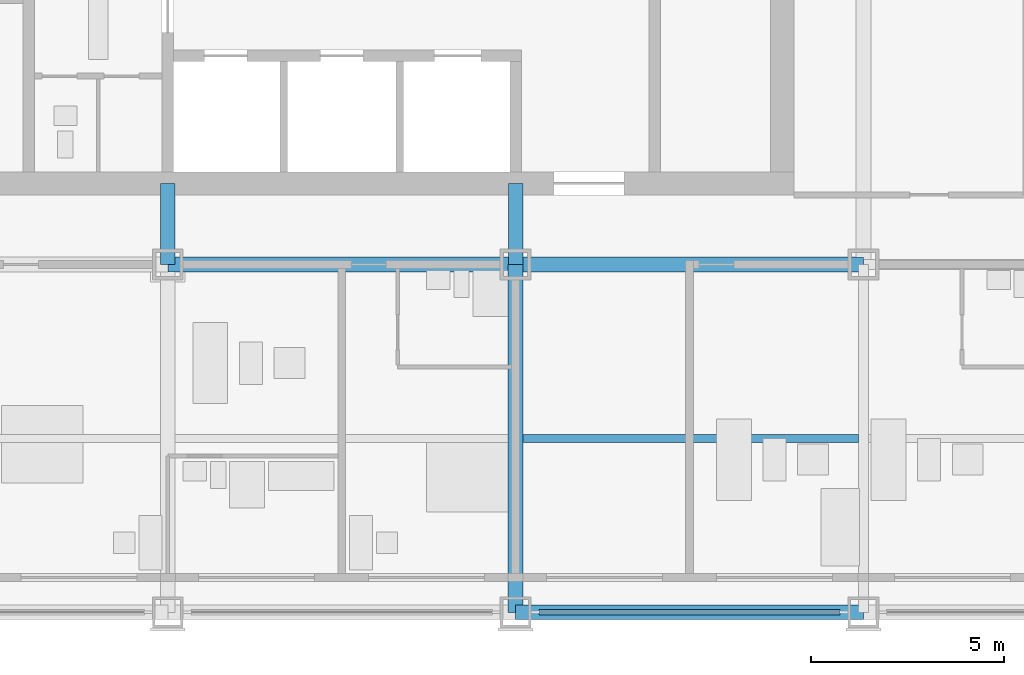
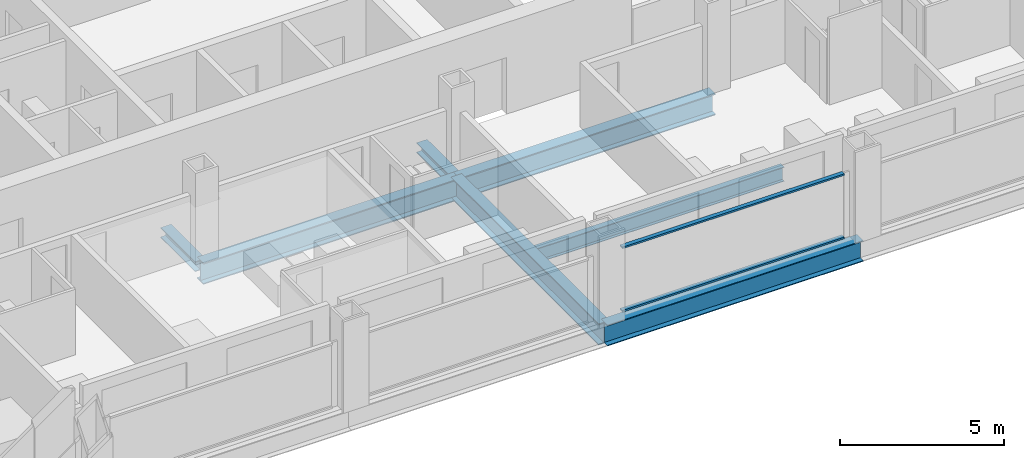
# One storey, part 3 of 18: 5 beams, 4 members, 1 element without a shape of its own.
"""IFC4 building model written with IfcOpenShell, lengths in metres."""

from ifc_helpers import new_model, si_unit, direction, frame, origin, origin_2d, place, context, subcontext, project, spatial, rectangle, i_section, extrude, material, material_profile, profile_set, type_object, element, aggregate, save


model = new_model("IFC4")

# Units and contexts
model_context = context("Model", 3, precision=1e-05, world=origin(), true_north=direction((0.0, 1.0)))
body_context = subcontext(model_context, "Body", "Model", "MODEL_VIEW")
ifc_project = project(units=[si_unit("LENGTHUNIT", "METRE"), si_unit("AREAUNIT", "SQUARE_METRE"), si_unit("VOLUMEUNIT", "CUBIC_METRE"), si_unit("PLANEANGLEUNIT", "RADIAN"), si_unit("MASSUNIT", "GRAM", prefix="KILO")], contexts=[model_context])

# Site, building, storey
site_placement = place(None, origin())
site = spatial("IfcSite", under=ifc_project, at=site_placement, CompositionType="ELEMENT")
building_placement = place(site_placement, origin())
building = spatial("IfcBuilding", under=site, at=building_placement, Name="Loomwork Tower", CompositionType="ELEMENT")
storey_placement = place(building_placement, frame((0.0, 0.0, 55.199951171875)))
storey = spatial("IfcBuildingStorey", under=building, at=storey_placement, Name="L13", CompositionType="ELEMENT", Elevation=55.199951171875)

# Beams
ifc_material_1 = material(Name="Steel ASTM A992", Category="steel")
ifc_material_profile_1 = material_profile(ifc_material_1, i_section(OverallWidth=0.383544921875, OverallDepth=0.794921875, WebThickness=0.02099609375, FlangeThickness=0.0380859375, at=origin_2d()), Name="W30x235")
ifc_profile_set_1 = profile_set([ifc_material_profile_1], Name="Steel ASTM A992")
beam_type_1 = type_object("IfcBeamType", Name="CORE FLANK GIRDER W30x235", PredefinedType="BEAM", material=ifc_profile_set_1)
for number, where, z_axis, x_axis, name in (
    (1, (18.0, 9.0, -0.597412109375), (1.0, 0.0, 0.0), (0.0, 1.0, 0.0), "Core Flank Girder E/4-E/5 L13"),
    (2, (27.0, 9.0, -0.597412109375), (1.0, 0.0, 0.0), (0.0, 1.0, 0.0), "Core Flank Girder E/5-E/6 L13"),
    (3, (27.0, 0.0, -0.597412109375), (0.0, 1.0, 0.0), (-1.0, 0.0, 0.0), "Core Flank Girder D/5-E/5 L13"),
):
    element("IfcBeam", number, at=place(storey_placement, frame(where, z_axis=z_axis, x_axis=x_axis)), inside=storey, type_object=beam_type_1, Name=name, PredefinedType="BEAM", context=body_context, shape_type="SweptSolid", body=[
        extrude(i_section(OverallWidth=0.383544921875, OverallDepth=0.794921875, WebThickness=0.02099609375, FlangeThickness=0.0380859375, at=origin_2d()), origin(), (0.0, 0.0, 1.0), 9.0),
    ])

# Members
ifc_material_2 = material(Name="Steel ASTM A992", Category="steel")
ifc_material_profile_2 = material_profile(ifc_material_2, i_section(OverallWidth=0.373291015625, OverallDepth=0.373291015625, WebThickness=0.016357421875, FlangeThickness=0.026123046875, at=origin_2d()), Name="W14x132")
ifc_profile_set_2 = profile_set([ifc_material_profile_2], Name="Steel ASTM A992")
member_type_1 = type_object("IfcMemberType", Name="CORE LINK STRUT W14x132", PredefinedType="STRUT", material=ifc_profile_set_2)
for number, where, z_axis, x_axis, name in (
    (4, (27.0, 9.0, -0.38671875), (0.0, 1.0, 0.0), (-1.0, 0.0, 0.0), "Core link strut E/5-27.000,11.100 L13"),
    (5, (18.0, 9.0, -0.38671875), (0.0, 1.0, 0.0), (-1.0, 0.0, 0.0), "Core link strut E/4-18.000,11.100 L13"),
):
    element("IfcMember", number, at=place(storey_placement, frame(where, z_axis=z_axis, x_axis=x_axis)), inside=storey, type_object=member_type_1, Name=name, PredefinedType="STRUT", context=body_context, shape_type="SweptSolid", body=[
        extrude(i_section(OverallWidth=0.373291015625, OverallDepth=0.373291015625, WebThickness=0.016357421875, FlangeThickness=0.026123046875, at=origin_2d()), origin(), (0.0, 0.0, 1.0), 2.10009765625),
    ])

# Beam
ifc_material_3 = material(Name="Steel ASTM A992", Category="steel")
ifc_material_profile_3 = material_profile(ifc_material_3, i_section(OverallWidth=0.2109375, OverallDepth=0.53857421875, WebThickness=0.011474609375, FlangeThickness=0.018798828125, at=origin_2d()), Name="W21x73")
ifc_profile_set_3 = profile_set([ifc_material_profile_3], Name="Steel ASTM A992")
beam_type_2 = type_object("IfcBeamType", Name="FLOOR JOIST W21x73", PredefinedType="JOIST", material=ifc_profile_set_3)
beam_1_placement = place(storey_placement, frame((27.19091796875, 4.5, -0.46923828125), z_axis=(1.0, 0.0, 0.0), x_axis=(0.0, 1.0, 0.0)))
element("IfcBeam", 6, at=beam_1_placement, inside=storey, type_object=beam_type_2, Name="Floor Joist 27.000,4.500-36.000,4.500 L13", PredefinedType="JOIST", context=body_context, shape_type="SweptSolid", body=[
    extrude(i_section(OverallWidth=0.2109375, OverallDepth=0.53857421875, WebThickness=0.011474609375, FlangeThickness=0.018798828125, at=origin_2d()), origin(), (0.0, 0.0, 1.0), 8.676025390625),
])

# Curtain wall, members
ifc_material_4 = material(Name="Aluminium curtain wall frame", Category="aluminium")
curtain_wall_type = type_object("IfcCurtainWallType", Name="Outer skin glazing hotel", PredefinedType="NOTDEFINED", material=ifc_material_4)
curtain_wall_placement = place(storey_placement, origin())
curtain_wall = element("IfcCurtainWall", 7, at=curtain_wall_placement, inside=storey, type_object=curtain_wall_type, Name="Outer skin glazing hotel cw/S-27", PredefinedType="NOTDEFINED")
ifc_material_5 = material(Name="Aluminium curtain wall frame", Category="aluminium")
ifc_material_profile_4 = material_profile(ifc_material_5, rectangle(XDim=0.14990234375, YDim=0.06494140625, at=origin_2d()), Name="AL 65x150")
ifc_profile_set_4 = profile_set([ifc_material_profile_4], Name="Aluminium curtain wall frame")
member_type_2 = type_object("IfcMemberType", Name="Outer skin glazing hotel transom", PredefinedType="USERDEFINED", material=ifc_profile_set_4)
member_1_placement = place(storey_placement, frame((27.60009765625, 0.0, 0.032470703125), z_axis=(1.0, 0.0, 0.0), x_axis=(0.0, 1.0, 0.0)))
member_1 = element("IfcMember", 8, at=member_1_placement, type_object=member_type_2, Name="CW1 transom 1.1", ObjectType="TRANSOM", PredefinedType="USERDEFINED", context=body_context, shape_type="SweptSolid", body=[
    extrude(rectangle(XDim=0.14990234375, YDim=0.06494140625, at=origin_2d()), origin(), (0.0, 0.0, 1.0), 7.7998046875),
])
member_2_placement = place(storey_placement, frame((27.60009765625, 0.0, 2.3876953125), z_axis=(1.0, 0.0, 0.0), x_axis=(0.0, 1.0, 0.0)))
member_2 = element("IfcMember", 9, at=member_2_placement, type_object=member_type_2, Name="CW1 transom 1.2", ObjectType="TRANSOM", PredefinedType="USERDEFINED", context=body_context, shape_type="SweptSolid", body=[
    extrude(rectangle(XDim=0.14990234375, YDim=0.06494140625, at=origin_2d()), origin(), (0.0, 0.0, 1.0), 7.7998046875),
])
aggregate(curtain_wall, [member_1, member_2])

# Beam
ifc_material_6 = material(Name="Steel ASTM A992", Category="steel")
ifc_material_profile_5 = material_profile(ifc_material_6, i_section(OverallWidth=0.381103515625, OverallDepth=0.77978515625, WebThickness=0.01806640625, FlangeThickness=0.0302734375, at=origin_2d()), Name="W30x191")
ifc_profile_set_5 = profile_set([ifc_material_profile_5], Name="Steel ASTM A992")
beam_type_3 = type_object("IfcBeamType", Name="SPANDREL GIRDER W30x191", PredefinedType="SPANDREL", material=ifc_profile_set_5)
beam_2_placement = place(storey_placement, frame((27.0, 0.0, -0.58984375), z_axis=(1.0, 0.0, 0.0), x_axis=(0.0, 1.0, 0.0)))
element("IfcBeam", 10, at=beam_2_placement, inside=storey, type_object=beam_type_3, Name="Spandrel Girder D/5-D/6 L13", PredefinedType="SPANDREL", context=body_context, shape_type="SweptSolid", body=[
    extrude(i_section(OverallWidth=0.381103515625, OverallDepth=0.77978515625, WebThickness=0.01806640625, FlangeThickness=0.0302734375, at=origin_2d()), origin(), (0.0, 0.0, 1.0), 9.0),
])

save(model, "model.ifc")
